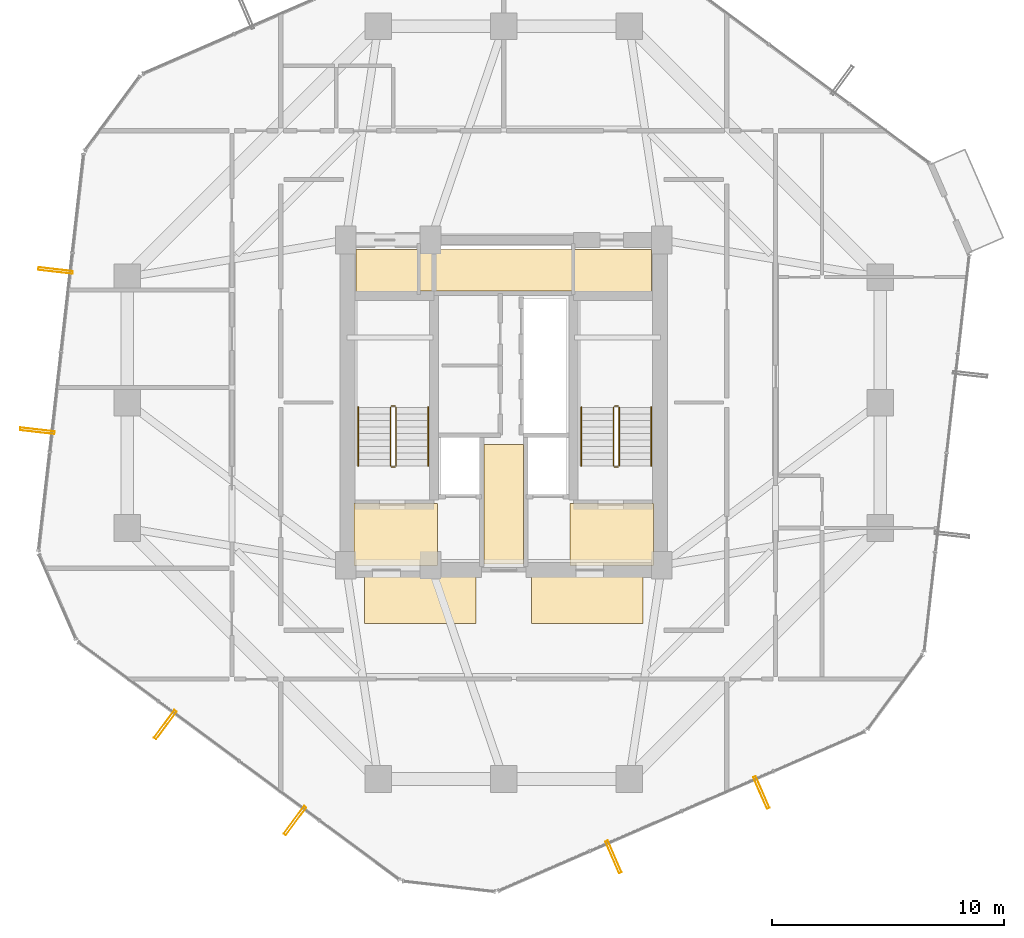
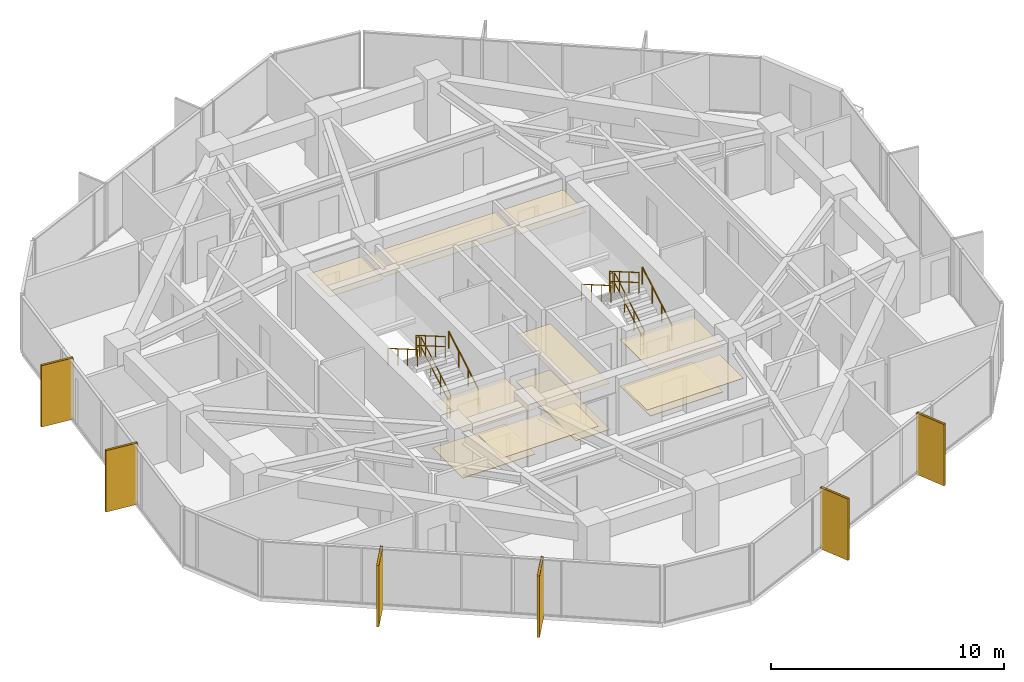
# One storey, part 28 of 29: 12 railings, 11 coverings, 6 shading devices.
"""IFC4 building model written with IfcOpenShell, lengths in metres."""

from ifc_helpers import new_model, si_unit, direction, frame, origin, origin_2d, place, context, subcontext, project, spatial, polyline, hollow_rectangle, circle, outline, extrude, material, layer, layer_set, material_profile, profile_set, type_object, element, save


model = new_model("IFC4")

# Units and contexts
model_context = context("Model", 3, precision=1e-05, world=origin(), true_north=direction((0.0, 1.0)))
body_context = subcontext(model_context, "Body", "Model", "MODEL_VIEW")
ifc_project = project(units=[si_unit("LENGTHUNIT", "METRE"), si_unit("AREAUNIT", "SQUARE_METRE"), si_unit("VOLUMEUNIT", "CUBIC_METRE"), si_unit("PLANEANGLEUNIT", "RADIAN"), si_unit("MASSUNIT", "GRAM", prefix="KILO")], contexts=[model_context])

# Site, building, storey
site_placement = place(None, origin())
site = spatial("IfcSite", under=ifc_project, at=site_placement, CompositionType="ELEMENT")
building_placement = place(site_placement, origin())
building = spatial("IfcBuilding", under=site, at=building_placement, Name="Veraguas Prism Commons", CompositionType="ELEMENT")
storey_placement = place(building_placement, frame((0.0, 0.0, 105.699951171875)))
storey = spatial("IfcBuildingStorey", under=building, at=storey_placement, Name="L29", CompositionType="ELEMENT", Elevation=105.699951171875)

# Shading devices
ifc_material_1 = material(Name="Anodised aluminium EN AW-6063 T6", Category="aluminium")
ifc_material_profile = material_profile(ifc_material_1, hollow_rectangle(XDim=0.1201171875, YDim=1.489990234375, WallThickness=0.006103515625, at=origin_2d()), Name="FIN120X1490X6")
ifc_profile_set = profile_set([ifc_material_profile], Name="Anodised aluminium EN AW-6063 T6")
shading_device_type = type_object("IfcShadingDeviceType", Name="Deep Pale-Metal Vertical Solar Fin 120x1490", PredefinedType="USERDEFINED", material=ifc_profile_set)
for number, where, z_axis, x_axis, name in (
    (1, (4.710693359375, 29.68408203125, -0.22998046875), (0.0, 0.0, 1.0), (-0.112859853231, -0.993610916571, 0.0), "Vertical Pale-Metal Solar Fin L29-F3A"),
    (2, (3.927490234375, 22.78662109375, -0.22998046875), (0.0, 0.0, 1.0), (-0.112859853231, -0.993610916571, 0.0), "Vertical Pale-Metal Solar Fin L29-F3B"),
    (3, (9.432861328125, 10.13720703125, -0.22998046875), (0.0, 0.0, 1.0), (0.804063406288, -0.594543554896, 0.0), "Vertical Pale-Metal Solar Fin L29-F4A"),
    (4, (15.014404296875, 6.010009765625, -0.22998046875), (0.0, 0.0, 1.0), (0.804063406288, -0.594543554896, 0.0), "Vertical Pale-Metal Solar Fin L29-F4B"),
    (5, (28.721923828125, 4.452880859375, -0.22998046875), (0.0, 0.0, 1.0), (0.916920828835, 0.39906915898, 0.0), "Vertical Pale-Metal Solar Fin L29-F5A"),
    (6, (35.0869140625, 7.22314453125, -0.22998046875), (0.0, 0.0, 1.0), (0.916920828835, 0.39906915898, 0.0), "Vertical Pale-Metal Solar Fin L29-F5B"),
):
    element("IfcShadingDevice", number, at=place(storey_placement, frame(where, z_axis=z_axis, x_axis=x_axis)), inside=storey, type_object=shading_device_type, Name=name, ObjectType="FIN", PredefinedType="USERDEFINED", context=body_context, shape_type="SweptSolid", body=[
        extrude(hollow_rectangle(XDim=0.1201171875, YDim=1.489990234375, WallThickness=0.006103515625, at=origin_2d()), origin(), (0.0, 0.0, 1.0), 3.219970703125),
    ])

# Coverings
ifc_material_2 = material(Name="Acoustic gypsum board")
ifc_layer_1 = layer(ifc_material_2, 0.02490234375, Name="Perforated Acoustic Ceiling Tile 25")
ifc_layer_set_1 = layer_set([ifc_layer_1], Name="Acoustic gypsum board")
covering_type_1 = type_object("IfcCoveringType", Name="Perforated Acoustic Ceiling Tile 25", PredefinedType="USERDEFINED", material=ifc_layer_set_1)
covering_1_placement = place(storey_placement, frame((0.0, 0.0, 2.425048828125)))
element("IfcCovering", 7, at=covering_1_placement, inside=storey, type_object=covering_type_1, Name="East Lobby Acoustic Ceiling L29", ObjectType="ACOUSTIC CEILING", PredefinedType="USERDEFINED", context=body_context, shape_type="SweptSolid", body=[
    extrude(outline(polyline([(26.85009765625, 17.0), (30.449951171875, 17.0), (30.449951171875, 19.64990234375), (26.85009765625, 19.64990234375), (26.85009765625, 17.0)])), origin(), (0.0, 0.0, 1.0), 0.02490234375),
])
ifc_material_3 = material(Name="Terrazzo stone finish", Category="masonry")
ifc_layer_2 = layer(ifc_material_3, 0.030029296875, Name="Polished Terrazzo Floor Finish 30", Category="masonry")
ifc_layer_set_2 = layer_set([ifc_layer_2], Name="Terrazzo stone finish")
covering_type_2 = type_object("IfcCoveringType", Name="Polished Terrazzo Floor Finish 30", PredefinedType="FLOORING", material=ifc_layer_set_2)
covering_2_placement = place(storey_placement, origin())
element("IfcCovering", 8, at=covering_2_placement, inside=storey, type_object=covering_type_2, Name="Terrazzo Lobby Flooring L29", PredefinedType="FLOORING", context=body_context, shape_type="SweptSolid", body=[
    extrude(outline(polyline([(23.14990234375, 17.050048828125), (24.85009765625, 17.050048828125), (24.85009765625, 22.199951171875), (23.14990234375, 22.199951171875), (23.14990234375, 17.050048828125)])), origin(), (0.0, 0.0, 1.0), 0.030029296875),
])
covering_3_placement = place(storey_placement, origin())
element("IfcCovering", 9, at=covering_3_placement, inside=storey, type_object=covering_type_2, Name="West FF Lobby Terrazzo Flooring L29", PredefinedType="FLOORING", context=body_context, shape_type="SweptSolid", body=[
    extrude(outline(polyline([(17.550048828125, 17.050048828125), (21.14990234375, 17.050048828125), (21.14990234375, 19.64990234375), (17.550048828125, 19.64990234375), (17.550048828125, 17.050048828125)])), origin(), (0.0, 0.0, 1.0), 0.030029296875),
])
covering_4_placement = place(storey_placement, origin())
element("IfcCovering", 10, at=covering_4_placement, inside=storey, type_object=covering_type_2, Name="East FF Lobby Terrazzo Flooring L29", PredefinedType="FLOORING", context=body_context, shape_type="SweptSolid", body=[
    extrude(outline(polyline([(26.85009765625, 17.050048828125), (30.449951171875, 17.050048828125), (30.449951171875, 19.64990234375), (26.85009765625, 19.64990234375), (26.85009765625, 17.050048828125)])), origin(), (0.0, 0.0, 1.0), 0.030029296875),
])

# Railings
ifc_material_4 = material(Name="Stainless steel AISI 316", Category="steel")
railing_type_1 = type_object("IfcRailingType", Name="Stair and Ramp Stainless Handrail 900", PredefinedType="HANDRAIL", material=ifc_material_4)
railing_1_placement = place(storey_placement, frame((20.75, 21.280029296875, 0.16259765625)))
element("IfcRailing", 11, at=railing_1_placement, inside=storey, type_object=railing_type_1, Name="Stair Handrail ST-01 L29-1", PredefinedType="HANDRAIL", context=body_context, shape_type="SweptSolid", body=[
    extrude(circle(Radius=0.02392578125, at=origin_2d()), frame((0.0, 0.0, 0.8759765625), z_axis=(0.0, 0.864913338283, 0.50192122615), x_axis=(-1.0, 0.0, 0.0)), (0.0, 0.0, 1.0), 2.91357421875),
    extrude(circle(Radius=0.02099609375, at=origin_2d()), origin(), (0.0, 0.0, 1.0), 0.851806640625),
    extrude(circle(Radius=0.02099609375, at=origin_2d()), frame((0.0, 0.840087890625, 0.487548828125)), (0.0, 0.0, 1.0), 0.851806640625),
    extrude(circle(Radius=0.02099609375, at=origin_2d()), frame((0.0, 1.679931640625, 0.974853515625)), (0.0, 0.0, 1.0), 0.851806640625),
    extrude(circle(Radius=0.02099609375, at=origin_2d()), frame((0.0, 2.52001953125, 1.46240234375)), (0.0, 0.0, 1.0), 0.851806640625),
])
railing_2_placement = place(storey_placement, frame((17.739990234375, 23.800048828125, 1.78759765625)))
element("IfcRailing", 12, at=railing_2_placement, inside=storey, type_object=railing_type_1, Name="Stair Handrail ST-01 L29-2", PredefinedType="HANDRAIL", context=body_context, shape_type="SweptSolid", body=[
    extrude(circle(Radius=0.02392578125, at=origin_2d()), frame((0.0, 0.0, 0.8759765625), z_axis=(0.0, -0.864913338283, 0.50192122615), x_axis=(1.0, 0.0, 0.0)), (0.0, 0.0, 1.0), 2.91357421875),
    extrude(circle(Radius=0.02099609375, at=origin_2d()), origin(), (0.0, 0.0, 1.0), 0.851806640625),
    extrude(circle(Radius=0.02099609375, at=origin_2d()), frame((0.0, -0.840087890625, 0.487548828125)), (0.0, 0.0, 1.0), 0.851806640625),
    extrude(circle(Radius=0.02099609375, at=origin_2d()), frame((0.0, -1.679931640625, 0.974853515625)), (0.0, 0.0, 1.0), 0.851806640625),
    extrude(circle(Radius=0.02099609375, at=origin_2d()), frame((0.0, -2.52001953125, 1.46240234375)), (0.0, 0.0, 1.0), 0.851806640625),
])
railing_3_placement = place(storey_placement, frame((30.35009765625, 21.280029296875, 0.16259765625)))
element("IfcRailing", 13, at=railing_3_placement, inside=storey, type_object=railing_type_1, Name="Stair Handrail ST-02 L29-1", PredefinedType="HANDRAIL", context=body_context, shape_type="SweptSolid", body=[
    extrude(circle(Radius=0.02392578125, at=origin_2d()), frame((0.0, 0.0, 0.8759765625), z_axis=(0.0, 0.864913338283, 0.50192122615), x_axis=(-1.0, 0.0, 0.0)), (0.0, 0.0, 1.0), 2.91357421875),
    extrude(circle(Radius=0.02099609375, at=origin_2d()), origin(), (0.0, 0.0, 1.0), 0.851806640625),
    extrude(circle(Radius=0.02099609375, at=origin_2d()), frame((0.0, 0.840087890625, 0.487548828125)), (0.0, 0.0, 1.0), 0.851806640625),
    extrude(circle(Radius=0.02099609375, at=origin_2d()), frame((0.0, 1.679931640625, 0.974853515625)), (0.0, 0.0, 1.0), 0.851806640625),
    extrude(circle(Radius=0.02099609375, at=origin_2d()), frame((0.0, 2.52001953125, 1.46240234375)), (0.0, 0.0, 1.0), 0.851806640625),
])
railing_4_placement = place(storey_placement, frame((27.340087890625, 23.800048828125, 1.78759765625)))
element("IfcRailing", 14, at=railing_4_placement, inside=storey, type_object=railing_type_1, Name="Stair Handrail ST-02 L29-2", PredefinedType="HANDRAIL", context=body_context, shape_type="SweptSolid", body=[
    extrude(circle(Radius=0.02392578125, at=origin_2d()), frame((0.0, 0.0, 0.8759765625), z_axis=(0.0, -0.864913338283, 0.50192122615), x_axis=(1.0, 0.0, 0.0)), (0.0, 0.0, 1.0), 2.91357421875),
    extrude(circle(Radius=0.02099609375, at=origin_2d()), origin(), (0.0, 0.0, 1.0), 0.851806640625),
    extrude(circle(Radius=0.02099609375, at=origin_2d()), frame((0.0, -0.840087890625, 0.487548828125)), (0.0, 0.0, 1.0), 0.851806640625),
    extrude(circle(Radius=0.02099609375, at=origin_2d()), frame((0.0, -1.679931640625, 0.974853515625)), (0.0, 0.0, 1.0), 0.851806640625),
    extrude(circle(Radius=0.02099609375, at=origin_2d()), frame((0.0, -2.52001953125, 1.46240234375)), (0.0, 0.0, 1.0), 0.851806640625),
])
railing_type_2 = type_object("IfcRailingType", Name="Stairwell Safety Guardrail 1100", PredefinedType="GUARDRAIL", material=ifc_material_4)
railing_5_placement = place(storey_placement, frame((19.3701171875, 21.280029296875, 0.16259765625)))
element("IfcRailing", 15, at=railing_5_placement, inside=storey, type_object=railing_type_2, Name="Stair Guard ST-01 L29-1", PredefinedType="GUARDRAIL", context=body_context, shape_type="SweptSolid", body=[
    extrude(circle(Radius=0.02392578125, at=origin_2d()), frame((0.0, 0.0, 1.076171875), z_axis=(0.0, 0.864913338283, 0.50192122615), x_axis=(-1.0, 0.0, 0.0)), (0.0, 0.0, 1.0), 2.91357421875),
    extrude(circle(Radius=0.02392578125, at=origin_2d()), frame((0.0, 0.0, 0.550048828125), z_axis=(0.0, 0.864913338283, 0.50192122615), x_axis=(-1.0, 0.0, 0.0)), (0.0, 0.0, 1.0), 2.91357421875),
    extrude(circle(Radius=0.02099609375, at=origin_2d()), origin(), (0.0, 0.0, 1.0), 1.052001953125),
    extrude(circle(Radius=0.02099609375, at=origin_2d()), frame((0.0, 0.840087890625, 0.487548828125)), (0.0, 0.0, 1.0), 1.052001953125),
    extrude(circle(Radius=0.02099609375, at=origin_2d()), frame((0.0, 1.679931640625, 0.974853515625)), (0.0, 0.0, 1.0), 1.052001953125),
    extrude(circle(Radius=0.02099609375, at=origin_2d()), frame((0.0, 2.52001953125, 1.46240234375)), (0.0, 0.0, 1.0), 1.052001953125),
])
railing_6_placement = place(storey_placement, frame((19.320068359375, 23.85009765625, 1.625)))
element("IfcRailing", 16, at=railing_6_placement, inside=storey, type_object=railing_type_2, Name="Stair Guard ST-01 L29-2", PredefinedType="GUARDRAIL", context=body_context, shape_type="SweptSolid", body=[
    extrude(circle(Radius=0.02392578125, at=origin_2d()), frame((0.0, 0.0, 1.076171875), z_axis=(-1.0, 0.0, 0.0), x_axis=(0.0, -1.0, 0.0)), (0.0, 0.0, 1.0), 0.150146484375),
    extrude(circle(Radius=0.02392578125, at=origin_2d()), frame((0.0, 0.0, 0.550048828125), z_axis=(-1.0, 0.0, 0.0), x_axis=(0.0, -1.0, 0.0)), (0.0, 0.0, 1.0), 0.150146484375),
    extrude(circle(Radius=0.02099609375, at=origin_2d()), origin(), (0.0, 0.0, 1.0), 1.052001953125),
    extrude(circle(Radius=0.02099609375, at=origin_2d()), frame((-0.150146484375, 0.0, 0.0)), (0.0, 0.0, 1.0), 1.052001953125),
])
railing_7_placement = place(storey_placement, frame((19.1201171875, 23.800048828125, 1.78759765625)))
element("IfcRailing", 17, at=railing_7_placement, inside=storey, type_object=railing_type_2, Name="Stair Guard ST-01 L29-3", PredefinedType="GUARDRAIL", context=body_context, shape_type="SweptSolid", body=[
    extrude(circle(Radius=0.02392578125, at=origin_2d()), frame((0.0, 0.0, 1.076171875), z_axis=(0.0, -0.864913338283, 0.50192122615), x_axis=(1.0, 0.0, 0.0)), (0.0, 0.0, 1.0), 2.91357421875),
    extrude(circle(Radius=0.02392578125, at=origin_2d()), frame((0.0, 0.0, 0.550048828125), z_axis=(0.0, -0.864913338283, 0.50192122615), x_axis=(1.0, 0.0, 0.0)), (0.0, 0.0, 1.0), 2.91357421875),
    extrude(circle(Radius=0.02099609375, at=origin_2d()), origin(), (0.0, 0.0, 1.0), 1.052001953125),
    extrude(circle(Radius=0.02099609375, at=origin_2d()), frame((0.0, -0.840087890625, 0.487548828125)), (0.0, 0.0, 1.0), 1.052001953125),
    extrude(circle(Radius=0.02099609375, at=origin_2d()), frame((0.0, -1.679931640625, 0.974853515625)), (0.0, 0.0, 1.0), 1.052001953125),
    extrude(circle(Radius=0.02099609375, at=origin_2d()), frame((0.0, -2.52001953125, 1.46240234375)), (0.0, 0.0, 1.0), 1.052001953125),
])
railing_8_placement = place(storey_placement, frame((19.320068359375, 21.22998046875, 0.0)))
element("IfcRailing", 18, at=railing_8_placement, inside=storey, type_object=railing_type_2, Name="Stair Guard ST-01 L29-4", PredefinedType="GUARDRAIL", context=body_context, shape_type="SweptSolid", body=[
    extrude(circle(Radius=0.02392578125, at=origin_2d()), frame((0.0, 0.0, 1.076171875), z_axis=(-1.0, 0.0, 0.0), x_axis=(0.0, -1.0, 0.0)), (0.0, 0.0, 1.0), 0.150146484375),
    extrude(circle(Radius=0.02392578125, at=origin_2d()), frame((0.0, 0.0, 0.550048828125), z_axis=(-1.0, 0.0, 0.0), x_axis=(0.0, -1.0, 0.0)), (0.0, 0.0, 1.0), 0.150146484375),
    extrude(circle(Radius=0.02099609375, at=origin_2d()), origin(), (0.0, 0.0, 1.0), 1.052001953125),
    extrude(circle(Radius=0.02099609375, at=origin_2d()), frame((-0.150146484375, 0.0, 0.0)), (0.0, 0.0, 1.0), 1.052001953125),
])
railing_9_placement = place(storey_placement, frame((28.969970703125, 21.280029296875, 0.16259765625)))
element("IfcRailing", 19, at=railing_9_placement, inside=storey, type_object=railing_type_2, Name="Stair Guard ST-02 L29-1", PredefinedType="GUARDRAIL", context=body_context, shape_type="SweptSolid", body=[
    extrude(circle(Radius=0.02392578125, at=origin_2d()), frame((0.0, 0.0, 1.076171875), z_axis=(0.0, 0.864913338283, 0.50192122615), x_axis=(-1.0, 0.0, 0.0)), (0.0, 0.0, 1.0), 2.91357421875),
    extrude(circle(Radius=0.02392578125, at=origin_2d()), frame((0.0, 0.0, 0.550048828125), z_axis=(0.0, 0.864913338283, 0.50192122615), x_axis=(-1.0, 0.0, 0.0)), (0.0, 0.0, 1.0), 2.91357421875),
    extrude(circle(Radius=0.02099609375, at=origin_2d()), origin(), (0.0, 0.0, 1.0), 1.052001953125),
    extrude(circle(Radius=0.02099609375, at=origin_2d()), frame((0.0, 0.840087890625, 0.487548828125)), (0.0, 0.0, 1.0), 1.052001953125),
    extrude(circle(Radius=0.02099609375, at=origin_2d()), frame((0.0, 1.679931640625, 0.974853515625)), (0.0, 0.0, 1.0), 1.052001953125),
    extrude(circle(Radius=0.02099609375, at=origin_2d()), frame((0.0, 2.52001953125, 1.46240234375)), (0.0, 0.0, 1.0), 1.052001953125),
])
railing_10_placement = place(storey_placement, frame((28.919921875, 23.85009765625, 1.625)))
element("IfcRailing", 20, at=railing_10_placement, inside=storey, type_object=railing_type_2, Name="Stair Guard ST-02 L29-2", PredefinedType="GUARDRAIL", context=body_context, shape_type="SweptSolid", body=[
    extrude(circle(Radius=0.02392578125, at=origin_2d()), frame((0.0, 0.0, 1.076171875), z_axis=(-1.0, 0.0, 0.0), x_axis=(0.0, -1.0, 0.0)), (0.0, 0.0, 1.0), 0.14990234375),
    extrude(circle(Radius=0.02392578125, at=origin_2d()), frame((0.0, 0.0, 0.550048828125), z_axis=(-1.0, 0.0, 0.0), x_axis=(0.0, -1.0, 0.0)), (0.0, 0.0, 1.0), 0.14990234375),
    extrude(circle(Radius=0.02099609375, at=origin_2d()), origin(), (0.0, 0.0, 1.0), 1.052001953125),
    extrude(circle(Radius=0.02099609375, at=origin_2d()), frame((-0.14990234375, 0.0, 0.0)), (0.0, 0.0, 1.0), 1.052001953125),
])
railing_11_placement = place(storey_placement, frame((28.719970703125, 23.800048828125, 1.78759765625)))
element("IfcRailing", 21, at=railing_11_placement, inside=storey, type_object=railing_type_2, Name="Stair Guard ST-02 L29-3", PredefinedType="GUARDRAIL", context=body_context, shape_type="SweptSolid", body=[
    extrude(circle(Radius=0.02392578125, at=origin_2d()), frame((0.0, 0.0, 1.076171875), z_axis=(0.0, -0.864913338283, 0.50192122615), x_axis=(1.0, 0.0, 0.0)), (0.0, 0.0, 1.0), 2.91357421875),
    extrude(circle(Radius=0.02392578125, at=origin_2d()), frame((0.0, 0.0, 0.550048828125), z_axis=(0.0, -0.864913338283, 0.50192122615), x_axis=(1.0, 0.0, 0.0)), (0.0, 0.0, 1.0), 2.91357421875),
    extrude(circle(Radius=0.02099609375, at=origin_2d()), origin(), (0.0, 0.0, 1.0), 1.052001953125),
    extrude(circle(Radius=0.02099609375, at=origin_2d()), frame((0.0, -0.840087890625, 0.487548828125)), (0.0, 0.0, 1.0), 1.052001953125),
    extrude(circle(Radius=0.02099609375, at=origin_2d()), frame((0.0, -1.679931640625, 0.974853515625)), (0.0, 0.0, 1.0), 1.052001953125),
    extrude(circle(Radius=0.02099609375, at=origin_2d()), frame((0.0, -2.52001953125, 1.46240234375)), (0.0, 0.0, 1.0), 1.052001953125),
])
railing_12_placement = place(storey_placement, frame((28.919921875, 21.22998046875, 0.0)))
element("IfcRailing", 22, at=railing_12_placement, inside=storey, type_object=railing_type_2, Name="Stair Guard ST-02 L29-4", PredefinedType="GUARDRAIL", context=body_context, shape_type="SweptSolid", body=[
    extrude(circle(Radius=0.02392578125, at=origin_2d()), frame((0.0, 0.0, 1.076171875), z_axis=(-1.0, 0.0, 0.0), x_axis=(0.0, -1.0, 0.0)), (0.0, 0.0, 1.0), 0.14990234375),
    extrude(circle(Radius=0.02392578125, at=origin_2d()), frame((0.0, 0.0, 0.550048828125), z_axis=(-1.0, 0.0, 0.0), x_axis=(0.0, -1.0, 0.0)), (0.0, 0.0, 1.0), 0.14990234375),
    extrude(circle(Radius=0.02099609375, at=origin_2d()), origin(), (0.0, 0.0, 1.0), 1.052001953125),
    extrude(circle(Radius=0.02099609375, at=origin_2d()), frame((-0.14990234375, 0.0, 0.0)), (0.0, 0.0, 1.0), 1.052001953125),
])

# Coverings
ifc_layer_3 = layer(ifc_material_2, 0.02001953125, Name="Suspended Gypsum Ceiling 20")
ifc_layer_set_3 = layer_set([ifc_layer_3], Name="Acoustic gypsum board")
covering_type_3 = type_object("IfcCoveringType", Name="Suspended Gypsum Ceiling 20", PredefinedType="CEILING", material=ifc_layer_set_3)
covering_5_placement = place(storey_placement, frame((0.0, 0.0, 2.429931640625)))
element("IfcCovering", 23, at=covering_5_placement, inside=storey, type_object=covering_type_3, Name="West Lobby Suspended Gypsum Ceiling L29", PredefinedType="CEILING", context=body_context, shape_type="SweptSolid", body=[
    extrude(outline(polyline([(17.550048828125, 17.0), (21.14990234375, 17.0), (21.14990234375, 19.64990234375), (17.550048828125, 19.64990234375), (17.550048828125, 17.0)])), origin(), (0.0, 0.0, 1.0), 0.02001953125),
])
covering_6_placement = place(storey_placement, frame((0.0, 0.0, 2.429931640625)))
element("IfcCovering", 24, at=covering_6_placement, inside=storey, type_object=covering_type_3, Name="Core Lobby Acoustic Ceiling L29-1", PredefinedType="CEILING", context=body_context, shape_type="SweptSolid", body=[
    extrude(outline(polyline([(18.0, 14.5), (22.800048828125, 14.5), (22.800048828125, 16.550048828125), (18.0, 16.550048828125), (18.0, 14.5)])), origin(), (0.0, 0.0, 1.0), 0.02001953125),
])
covering_7_placement = place(storey_placement, frame((0.0, 0.0, 2.429931640625)))
element("IfcCovering", 25, at=covering_7_placement, inside=storey, type_object=covering_type_3, Name="Core Lobby Acoustic Ceiling L29-2", PredefinedType="CEILING", context=body_context, shape_type="SweptSolid", body=[
    extrude(outline(polyline([(25.199951171875, 14.5), (30.0, 14.5), (30.0, 16.550048828125), (25.199951171875, 16.550048828125), (25.199951171875, 14.5)])), origin(), (0.0, 0.0, 1.0), 0.02001953125),
])
covering_8_placement = place(storey_placement, frame((0.0, 0.0, 2.429931640625)))
element("IfcCovering", 26, at=covering_8_placement, inside=storey, type_object=covering_type_3, Name="Core Lobby Acoustic Ceiling L29-3", PredefinedType="CEILING", context=body_context, shape_type="SweptSolid", body=[
    extrude(outline(polyline([(23.14990234375, 17.050048828125), (24.85009765625, 17.050048828125), (24.85009765625, 22.199951171875), (23.14990234375, 22.199951171875), (23.14990234375, 17.050048828125)])), origin(), (0.0, 0.0, 1.0), 0.02001953125),
])
covering_9_placement = place(storey_placement, frame((0.0, 0.0, 2.429931640625)))
element("IfcCovering", 27, at=covering_9_placement, inside=storey, type_object=covering_type_3, Name="Core Lobby Acoustic Ceiling L29-4", PredefinedType="CEILING", context=body_context, shape_type="SweptSolid", body=[
    extrude(outline(polyline([(17.64990234375, 28.64990234375), (20.300048828125, 28.64990234375), (20.300048828125, 30.60009765625), (17.64990234375, 30.60009765625), (17.64990234375, 28.64990234375)])), origin(), (0.0, 0.0, 1.0), 0.02001953125),
])
covering_10_placement = place(storey_placement, frame((0.0, 0.0, 2.429931640625)))
element("IfcCovering", 28, at=covering_10_placement, inside=storey, type_object=covering_type_3, Name="Core Lobby Acoustic Ceiling L29-5", PredefinedType="CEILING", context=body_context, shape_type="SweptSolid", body=[
    extrude(outline(polyline([(27.050048828125, 28.64990234375), (30.35009765625, 28.64990234375), (30.35009765625, 30.60009765625), (27.050048828125, 30.60009765625), (27.050048828125, 28.64990234375)])), origin(), (0.0, 0.0, 1.0), 0.02001953125),
])
covering_11_placement = place(storey_placement, frame((0.0, 0.0, 2.429931640625)))
element("IfcCovering", 29, at=covering_11_placement, inside=storey, type_object=covering_type_3, Name="Core Lobby Acoustic Ceiling L29-6", PredefinedType="CEILING", context=body_context, shape_type="SweptSolid", body=[
    extrude(outline(polyline([(20.39990234375, 28.800048828125), (26.949951171875, 28.800048828125), (26.949951171875, 30.60009765625), (20.39990234375, 30.60009765625), (20.39990234375, 28.800048828125)])), origin(), (0.0, 0.0, 1.0), 0.02001953125),
])

save(model, "model.ifc")
